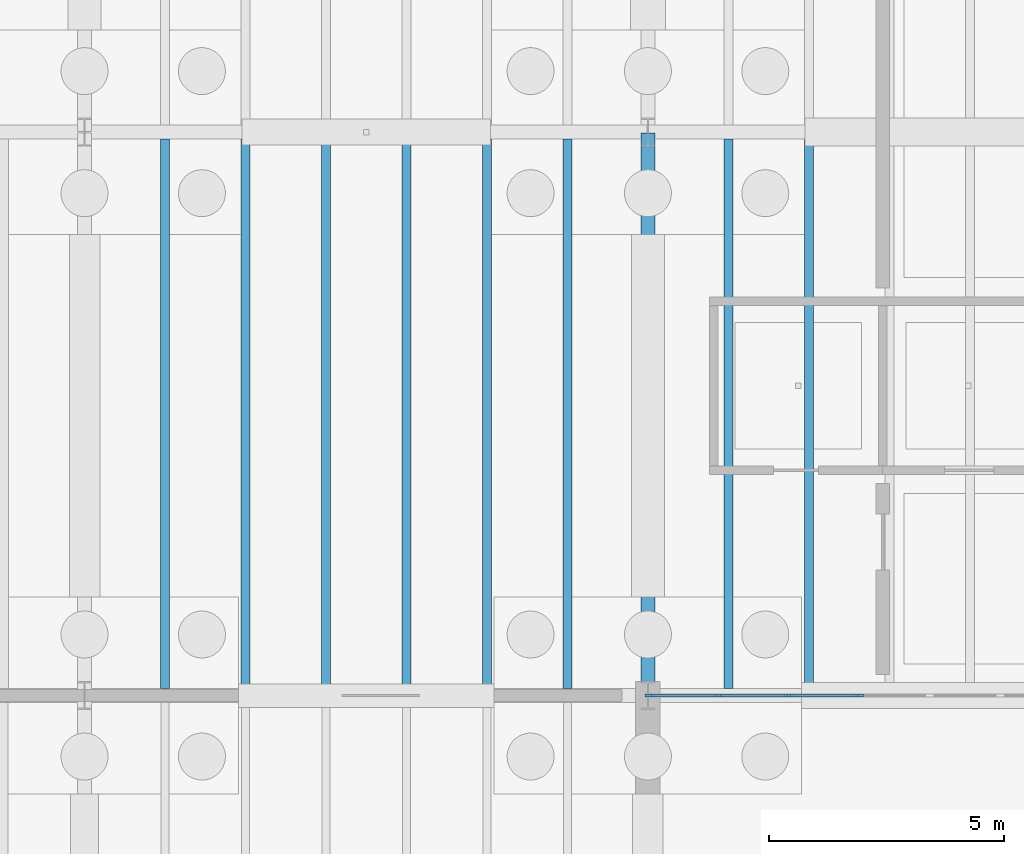
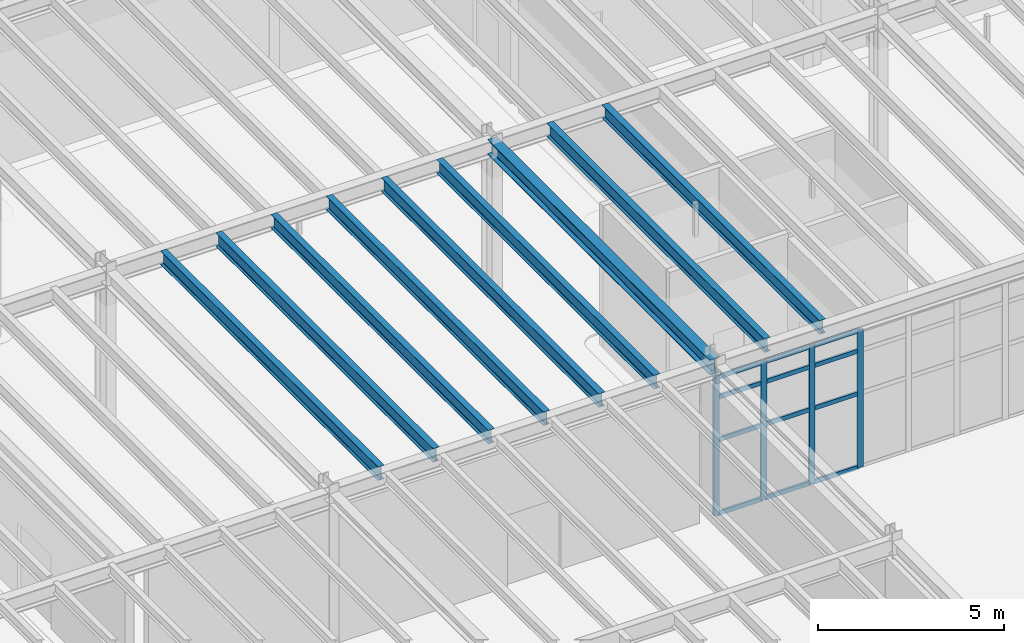
# One storey, part 23 of 67: 16 members, 9 beams, 1 element without a shape of its own.
"""IFC4 building model written with IfcOpenShell, lengths in metres."""

from ifc_helpers import new_model, si_unit, direction, frame, origin, origin_2d, place, context, subcontext, project, spatial, rectangle, i_section, extrude, material, layer, layer_set, material_profile, profile_set, type_object, element, aggregate, save


model = new_model("IFC4")

# Units and contexts
model_context = context("Model", 3, precision=1e-05, world=origin(), true_north=direction((0.0, 1.0)))
body_context = subcontext(model_context, "Body", "Model", "MODEL_VIEW")
ifc_project = project(units=[si_unit("LENGTHUNIT", "METRE"), si_unit("AREAUNIT", "SQUARE_METRE"), si_unit("VOLUMEUNIT", "CUBIC_METRE"), si_unit("PLANEANGLEUNIT", "RADIAN"), si_unit("MASSUNIT", "GRAM", prefix="KILO")], contexts=[model_context])

# Site, building, storey
site_placement = place(None, origin())
site = spatial("IfcSite", under=ifc_project, at=site_placement, CompositionType="ELEMENT")
building_placement = place(site_placement, origin())
building = spatial("IfcBuilding", under=site, at=building_placement, Name="Zlatogorsky Bluff Art Gallery", CompositionType="ELEMENT")
storey_placement = place(building_placement, frame((0.0, 0.0, -5.39990234375)))
storey = spatial("IfcBuildingStorey", under=building, at=storey_placement, Name="B1", CompositionType="ELEMENT", Elevation=-5.39990234375)

# Beams
ifc_material_1 = material(Name="Steel S355", Category="steel")
ifc_material_profile_1 = material_profile(ifc_material_1, i_section(OverallWidth=0.300048828125, OverallDepth=0.489990234375, WebThickness=0.011962890625, FlangeThickness=0.02294921875, FilletRadius=0.027099609375, at=origin_2d()), Name="HEA 500")
ifc_profile_set_1 = profile_set([ifc_material_profile_1], Name="Steel S355")
beam_type_1 = type_object("IfcBeamType", Name="Beam BM-07 HEA 500", PredefinedType="BEAM", material=ifc_profile_set_1)
beam_placement = place(storey_placement, frame((24.0, 84.014892578125, 4.875), z_axis=(0.0, 1.0, 0.0), x_axis=(-1.0, 0.0, 0.0)))
element("IfcBeam", 1, at=beam_placement, inside=storey, type_object=beam_type_1, Name="Primary girder BM-07 B1 C/9-10", PredefinedType="BEAM", context=body_context, shape_type="SweptSolid", body=[
    extrude(i_section(OverallWidth=0.300048828125, OverallDepth=0.489990234375, WebThickness=0.011962890625, FlangeThickness=0.02294921875, FilletRadius=0.027099609375, at=origin_2d()), origin(), (0.0, 0.0, 1.0), 11.97021484375),
])
ifc_material_profile_2 = material_profile(ifc_material_1, i_section(OverallWidth=0.18994140625, OverallDepth=0.449951171875, WebThickness=0.009521484375, FlangeThickness=0.0146484375, FilletRadius=0.02099609375, at=origin_2d()), Name="IPE 450")
ifc_profile_set_2 = profile_set([ifc_material_profile_2], Name="Steel S355")
beam_type_2 = type_object("IfcBeamType", Name="Beam JS-06 IPE 450", PredefinedType="JOIST", material=ifc_profile_set_2)
for number, where, z_axis, x_axis, name in (
    (2, (13.71435546875, 84.14990234375, 4.89501953125), (0.0, 1.0, 0.0), (-1.0, 0.0, 0.0), "Composite floor joist JS-06 B1 01.08.1"),
    (3, (15.428466796875, 84.14990234375, 4.89501953125), (0.0, 1.0, 0.0), (-1.0, 0.0, 0.0), "Composite floor joist JS-06 B1 01.08.2"),
    (4, (17.142822265625, 84.14990234375, 4.89501953125), (0.0, 1.0, 0.0), (-1.0, 0.0, 0.0), "Composite floor joist JS-06 B1 01.08.3"),
    (5, (18.857177734375, 84.14990234375, 4.89501953125), (0.0, 1.0, 0.0), (-1.0, 0.0, 0.0), "Composite floor joist JS-06 B1 01.08.4"),
    (6, (20.571533203125, 84.14990234375, 4.89501953125), (0.0, 1.0, 0.0), (-1.0, 0.0, 0.0), "Composite floor joist JS-06 B1 01.08.5"),
    (7, (22.28564453125, 84.14990234375, 4.89501953125), (0.0, 1.0, 0.0), (-1.0, 0.0, 0.0), "Composite floor joist JS-06 B1 01.08.6"),
    (8, (25.71435546875, 84.14990234375, 4.89501953125), (0.0, 1.0, 0.0), (-1.0, 0.0, 0.0), "Composite floor joist JS-06 B1 02.08.1"),
    (9, (27.428466796875, 84.14990234375, 4.89501953125), (0.0, 1.0, 0.0), (-1.0, 0.0, 0.0), "Composite floor joist JS-06 B1 02.08.2"),
):
    element("IfcBeam", number, at=place(storey_placement, frame(where, z_axis=z_axis, x_axis=x_axis)), inside=storey, type_object=beam_type_2, Name=name, PredefinedType="JOIST", context=body_context, shape_type="SweptSolid", body=[
        extrude(i_section(OverallWidth=0.18994140625, OverallDepth=0.449951171875, WebThickness=0.009521484375, FlangeThickness=0.0146484375, FilletRadius=0.02099609375, at=origin_2d()), origin(), (0.0, 0.0, 1.0), 11.7001953125),
    ])

# Curtain wall, members
ifc_material_2 = material(Name="Anodised Bronze Aluminium and Low-Iron Triple Glazing", Category="aluminium")
ifc_layer = layer(ifc_material_2, 0.179931640625)
ifc_layer_set = layer_set([ifc_layer], Name="Curtain Wall CW-01")
curtain_wall_type = type_object("IfcCurtainWallType", Name="Curtain Wall CW-01", PredefinedType="USERDEFINED", material=ifc_layer_set)
curtain_wall_placement = place(storey_placement, origin())
curtain_wall = element("IfcCurtainWall", 10, at=curtain_wall_placement, inside=storey, type_object=curtain_wall_type, Name="Unitised curtain wall CW-01 B1 S 2.8", ObjectType="CURTAIN WALL", PredefinedType="USERDEFINED")
ifc_material_3 = material(Name="Anodised Bronze Aluminium", Category="aluminium")
ifc_material_profile_3 = material_profile(ifc_material_3, rectangle(XDim=0.06494140625, YDim=0.179931640625, at=origin_2d()), Name="ALU MULLION 65x180")
ifc_profile_set_3 = profile_set([ifc_material_profile_3], Name="Anodised Bronze Aluminium")
member_type_1 = type_object("IfcMemberType", Name="Curtain Mullion ML-01", PredefinedType="MULLION", material=ifc_profile_set_3)
member_1_placement = place(storey_placement, frame((24.032470703125, 84.0, 0.0), z_axis=(0.0, 0.0, 1.0), x_axis=(0.0, 1.0, 0.0)))
member_1 = element("IfcMember", 11, at=member_1_placement, type_object=member_type_1, Name="CW-01 mullion 1", PredefinedType="MULLION", context=body_context, shape_type="SweptSolid", body=[
    extrude(rectangle(XDim=0.06494140625, YDim=0.179931640625, at=origin_2d()), origin(), (0.0, 0.0, 1.0), 4.539794921875),
])
member_2_placement = place(storey_placement, frame((25.5, 84.0, 0.0), z_axis=(0.0, 0.0, 1.0), x_axis=(0.0, 1.0, 0.0)))
member_2 = element("IfcMember", 12, at=member_2_placement, type_object=member_type_1, Name="CW-01 mullion 2", PredefinedType="MULLION", context=body_context, shape_type="SweptSolid", body=[
    extrude(rectangle(XDim=0.06494140625, YDim=0.179931640625, at=origin_2d()), origin(), (0.0, 0.0, 1.0), 4.539794921875),
])
member_3_placement = place(storey_placement, frame((27.0, 84.0, 0.0), z_axis=(0.0, 0.0, 1.0), x_axis=(0.0, 1.0, 0.0)))
member_3 = element("IfcMember", 13, at=member_3_placement, type_object=member_type_1, Name="CW-01 mullion 3", PredefinedType="MULLION", context=body_context, shape_type="SweptSolid", body=[
    extrude(rectangle(XDim=0.06494140625, YDim=0.179931640625, at=origin_2d()), origin(), (0.0, 0.0, 1.0), 4.539794921875),
])
member_4_placement = place(storey_placement, frame((28.5, 84.0, 0.0), z_axis=(0.0, 0.0, 1.0), x_axis=(0.0, 1.0, 0.0)))
member_4 = element("IfcMember", 14, at=member_4_placement, type_object=member_type_1, Name="CW-01 mullion 4", PredefinedType="MULLION", context=body_context, shape_type="SweptSolid", body=[
    extrude(rectangle(XDim=0.06494140625, YDim=0.179931640625, at=origin_2d()), origin(), (0.0, 0.0, 1.0), 4.539794921875),
])
ifc_material_profile_4 = material_profile(ifc_material_3, rectangle(XDim=0.06494140625, YDim=0.139892578125, at=origin_2d()), Name="ALU TRANSOM 65x140")
ifc_profile_set_4 = profile_set([ifc_material_profile_4], Name="Anodised Bronze Aluminium")
member_type_2 = type_object("IfcMemberType", Name="Curtain Transom TR-01", PredefinedType="USERDEFINED", material=ifc_profile_set_4)
member_5_placement = place(storey_placement, frame((24.06494140625, 84.0, 0.032470703125), z_axis=(1.0, 0.0, 0.0), x_axis=(0.0, 1.0, 0.0)))
member_5 = element("IfcMember", 15, at=member_5_placement, type_object=member_type_2, Name="CW-01 transom 1.1", ObjectType="TRANSOM", PredefinedType="USERDEFINED", context=body_context, shape_type="SweptSolid", body=[
    extrude(rectangle(XDim=0.06494140625, YDim=0.139892578125, at=origin_2d()), origin(), (0.0, 0.0, 1.0), 1.402587890625),
])
member_6_placement = place(storey_placement, frame((24.06494140625, 84.0, 2.449951171875), z_axis=(1.0, 0.0, 0.0), x_axis=(0.0, 1.0, 0.0)))
member_6 = element("IfcMember", 16, at=member_6_placement, type_object=member_type_2, Name="CW-01 transom 1.2", ObjectType="TRANSOM", PredefinedType="USERDEFINED", context=body_context, shape_type="SweptSolid", body=[
    extrude(rectangle(XDim=0.06494140625, YDim=0.139892578125, at=origin_2d()), origin(), (0.0, 0.0, 1.0), 1.402587890625),
])
member_7_placement = place(storey_placement, frame((24.06494140625, 84.0, 3.849853515625), z_axis=(1.0, 0.0, 0.0), x_axis=(0.0, 1.0, 0.0)))
member_7 = element("IfcMember", 17, at=member_7_placement, type_object=member_type_2, Name="CW-01 transom 1.3", ObjectType="TRANSOM", PredefinedType="USERDEFINED", context=body_context, shape_type="SweptSolid", body=[
    extrude(rectangle(XDim=0.06494140625, YDim=0.139892578125, at=origin_2d()), origin(), (0.0, 0.0, 1.0), 1.402587890625),
])
member_8_placement = place(storey_placement, frame((24.06494140625, 84.0, 4.50732421875), z_axis=(1.0, 0.0, 0.0), x_axis=(0.0, 1.0, 0.0)))
member_8 = element("IfcMember", 18, at=member_8_placement, type_object=member_type_2, Name="CW-01 transom 1.4", ObjectType="TRANSOM", PredefinedType="USERDEFINED", context=body_context, shape_type="SweptSolid", body=[
    extrude(rectangle(XDim=0.06494140625, YDim=0.139892578125, at=origin_2d()), origin(), (0.0, 0.0, 1.0), 1.402587890625),
])
member_9_placement = place(storey_placement, frame((25.532470703125, 84.0, 0.032470703125), z_axis=(1.0, 0.0, 0.0), x_axis=(0.0, 1.0, 0.0)))
member_9 = element("IfcMember", 19, at=member_9_placement, type_object=member_type_2, Name="CW-01 transom 2.1", ObjectType="TRANSOM", PredefinedType="USERDEFINED", context=body_context, shape_type="SweptSolid", body=[
    extrude(rectangle(XDim=0.06494140625, YDim=0.139892578125, at=origin_2d()), origin(), (0.0, 0.0, 1.0), 1.43505859375),
])
member_10_placement = place(storey_placement, frame((25.532470703125, 84.0, 2.449951171875), z_axis=(1.0, 0.0, 0.0), x_axis=(0.0, 1.0, 0.0)))
member_10 = element("IfcMember", 20, at=member_10_placement, type_object=member_type_2, Name="CW-01 transom 2.2", ObjectType="TRANSOM", PredefinedType="USERDEFINED", context=body_context, shape_type="SweptSolid", body=[
    extrude(rectangle(XDim=0.06494140625, YDim=0.139892578125, at=origin_2d()), origin(), (0.0, 0.0, 1.0), 1.43505859375),
])
member_11_placement = place(storey_placement, frame((25.532470703125, 84.0, 3.849853515625), z_axis=(1.0, 0.0, 0.0), x_axis=(0.0, 1.0, 0.0)))
member_11 = element("IfcMember", 21, at=member_11_placement, type_object=member_type_2, Name="CW-01 transom 2.3", ObjectType="TRANSOM", PredefinedType="USERDEFINED", context=body_context, shape_type="SweptSolid", body=[
    extrude(rectangle(XDim=0.06494140625, YDim=0.139892578125, at=origin_2d()), origin(), (0.0, 0.0, 1.0), 1.43505859375),
])
member_12_placement = place(storey_placement, frame((25.532470703125, 84.0, 4.50732421875), z_axis=(1.0, 0.0, 0.0), x_axis=(0.0, 1.0, 0.0)))
member_12 = element("IfcMember", 22, at=member_12_placement, type_object=member_type_2, Name="CW-01 transom 2.4", ObjectType="TRANSOM", PredefinedType="USERDEFINED", context=body_context, shape_type="SweptSolid", body=[
    extrude(rectangle(XDim=0.06494140625, YDim=0.139892578125, at=origin_2d()), origin(), (0.0, 0.0, 1.0), 1.43505859375),
])
member_13_placement = place(storey_placement, frame((27.032470703125, 84.0, 0.032470703125), z_axis=(1.0, 0.0, 0.0), x_axis=(0.0, 1.0, 0.0)))
member_13 = element("IfcMember", 23, at=member_13_placement, type_object=member_type_2, Name="CW-01 transom 3.1", ObjectType="TRANSOM", PredefinedType="USERDEFINED", context=body_context, shape_type="SweptSolid", body=[
    extrude(rectangle(XDim=0.06494140625, YDim=0.139892578125, at=origin_2d()), origin(), (0.0, 0.0, 1.0), 1.43505859375),
])
member_14_placement = place(storey_placement, frame((27.032470703125, 84.0, 2.449951171875), z_axis=(1.0, 0.0, 0.0), x_axis=(0.0, 1.0, 0.0)))
member_14 = element("IfcMember", 24, at=member_14_placement, type_object=member_type_2, Name="CW-01 transom 3.2", ObjectType="TRANSOM", PredefinedType="USERDEFINED", context=body_context, shape_type="SweptSolid", body=[
    extrude(rectangle(XDim=0.06494140625, YDim=0.139892578125, at=origin_2d()), origin(), (0.0, 0.0, 1.0), 1.43505859375),
])
member_15_placement = place(storey_placement, frame((27.032470703125, 84.0, 3.849853515625), z_axis=(1.0, 0.0, 0.0), x_axis=(0.0, 1.0, 0.0)))
member_15 = element("IfcMember", 25, at=member_15_placement, type_object=member_type_2, Name="CW-01 transom 3.3", ObjectType="TRANSOM", PredefinedType="USERDEFINED", context=body_context, shape_type="SweptSolid", body=[
    extrude(rectangle(XDim=0.06494140625, YDim=0.139892578125, at=origin_2d()), origin(), (0.0, 0.0, 1.0), 1.43505859375),
])
member_16_placement = place(storey_placement, frame((27.032470703125, 84.0, 4.50732421875), z_axis=(1.0, 0.0, 0.0), x_axis=(0.0, 1.0, 0.0)))
member_16 = element("IfcMember", 26, at=member_16_placement, type_object=member_type_2, Name="CW-01 transom 3.4", ObjectType="TRANSOM", PredefinedType="USERDEFINED", context=body_context, shape_type="SweptSolid", body=[
    extrude(rectangle(XDim=0.06494140625, YDim=0.139892578125, at=origin_2d()), origin(), (0.0, 0.0, 1.0), 1.43505859375),
])
aggregate(curtain_wall, [member_1, member_2, member_3, member_4, member_5, member_6, member_7, member_8, member_9, member_10, member_11, member_12, member_13, member_14, member_15, member_16])

save(model, "model.ifc")
